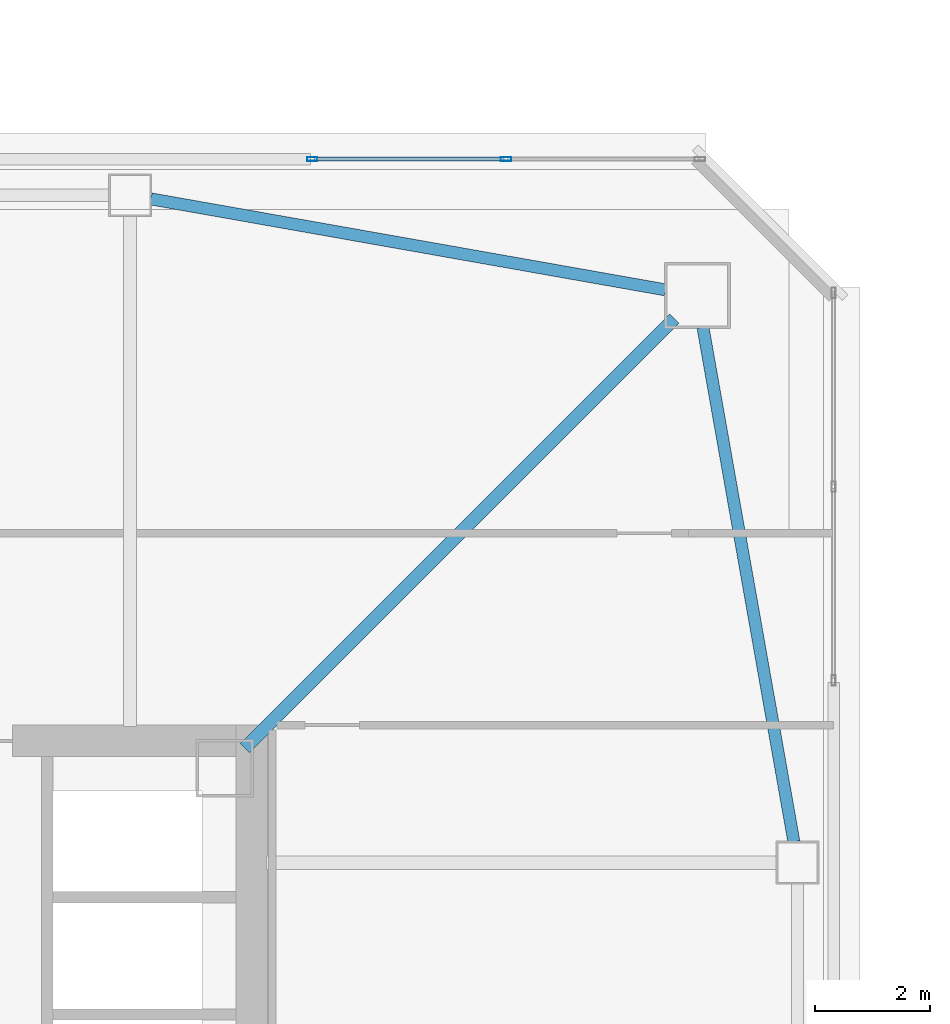
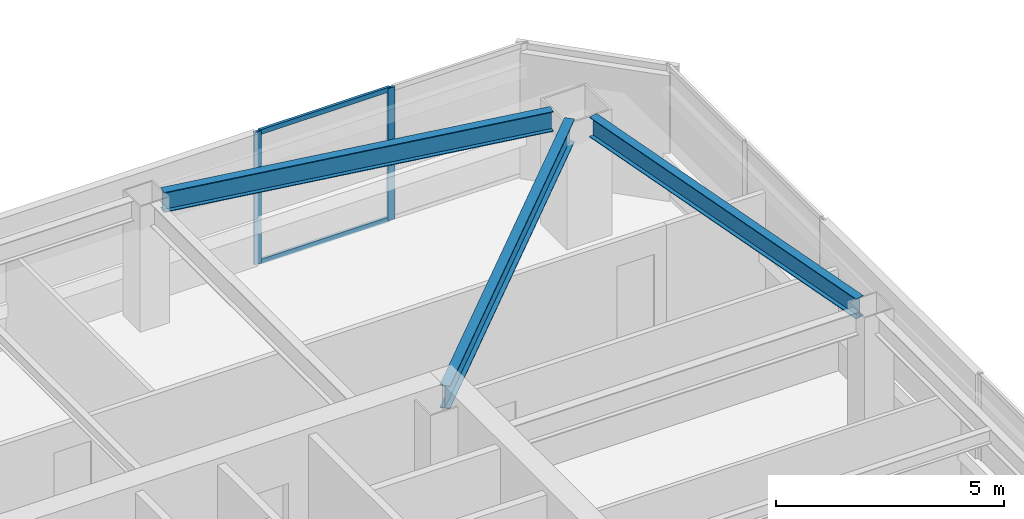
# One storey, part 15 of 43: 4 members, 3 beams, 1 element without a shape of its own.
"""IFC4 building model written with IfcOpenShell, lengths in metres."""

from ifc_helpers import new_model, si_unit, direction, frame, origin, origin_2d, place, context, subcontext, project, spatial, hollow_rectangle, i_section, extrude, material, material_profile, profile_set, type_object, element, aggregate, save


model = new_model("IFC4")

# Units and contexts
model_context = context("Model", 3, precision=1e-05, world=origin(), true_north=direction((0.0, 1.0)))
body_context = subcontext(model_context, "Body", "Model", "MODEL_VIEW")
ifc_project = project(units=[si_unit("LENGTHUNIT", "METRE"), si_unit("AREAUNIT", "SQUARE_METRE"), si_unit("VOLUMEUNIT", "CUBIC_METRE"), si_unit("PLANEANGLEUNIT", "RADIAN"), si_unit("MASSUNIT", "GRAM", prefix="KILO")], contexts=[model_context])

# Site, building, storey
site_placement = place(None, origin())
site = spatial("IfcSite", under=ifc_project, at=site_placement, CompositionType="ELEMENT")
building_placement = place(site_placement, origin())
building = spatial("IfcBuilding", under=site, at=building_placement, Name="Tashvorn Skyway Center", CompositionType="ELEMENT")
storey_placement = place(building_placement, frame((0.0, 0.0, 185.39990234375)))
storey = spatial("IfcBuildingStorey", under=building, at=storey_placement, Name="L50", CompositionType="ELEMENT", Elevation=185.39990234375)

# Beams
ifc_material_1 = material(Name="Steel ASTM A992 Grade 50", Category="steel")
ifc_material_profile_1 = material_profile(ifc_material_1, i_section(OverallWidth=0.22998046875, OverallDepth=0.616943359375, WebThickness=0.01318359375, FlangeThickness=0.022216796875, at=origin_2d()), Name="W24X94")
ifc_profile_set_1 = profile_set([ifc_material_profile_1], Name="Steel ASTM A992 Grade 50")
beam_type_1 = type_object("IfcBeamType", Name="BM-BEAM-W24X94", PredefinedType="BEAM", material=ifc_profile_set_1)
beam_placement = place(storey_placement, frame((56.89697265625, 46.89697265625, 3.0615234375), z_axis=(-0.707106781187, -0.707106781187, 0.0), x_axis=(0.707106781187, -0.707106781187, 0.0)))
element("IfcBeam", 1, at=beam_placement, inside=storey, type_object=beam_type_1, Name="Tower 1 L50 Primary Floor Girder MC-NE", PredefinedType="BEAM", context=body_context, shape_type="SweptSolid", body=[
    extrude(i_section(OverallWidth=0.22998046875, OverallDepth=0.616943359375, WebThickness=0.01318359375, FlangeThickness=0.022216796875, at=origin_2d()), origin(), (0.0, 0.0, 1.0), 10.6025390625),
])
ifc_material_profile_2 = material_profile(ifc_material_1, i_section(OverallWidth=0.2109375, OverallDepth=0.5390625, WebThickness=0.01171875, FlangeThickness=0.018798828125, at=origin_2d()), Name="W21X73")
ifc_profile_set_2 = profile_set([ifc_material_profile_2], Name="Steel ASTM A992 Grade 50")
beam_type_2 = type_object("IfcBeamType", Name="BM-SPANDREL-W21X73", PredefinedType="SPANDREL", material=ifc_profile_set_2)
for number, where, z_axis, x_axis, name in (
    (2, (58.985595703125, 37.764404296875, 3.1005859375), (-0.174074160933, 0.984732545667, 0.0), (-0.984732545667, -0.174074160933, 0.0), "Tower 1 L50 Spandrel Beam 06"),
    (3, (56.73876953125, 47.399169921875, 3.1005859375), (-0.984732545667, 0.174074160933, 0.0), (-0.174074160933, -0.984732545667, 0.0), "Tower 1 L50 Spandrel Beam 07"),
):
    element("IfcBeam", number, at=place(storey_placement, frame(where, z_axis=z_axis, x_axis=x_axis)), inside=storey, type_object=beam_type_2, Name=name, PredefinedType="SPANDREL", context=body_context, shape_type="SweptSolid", body=[
        extrude(i_section(OverallWidth=0.2109375, OverallDepth=0.5390625, WebThickness=0.01171875, FlangeThickness=0.018798828125, at=origin_2d()), origin(), (0.0, 0.0, 1.0), 9.113525390625),
    ])

# Curtain wall, members
ifc_material_2 = material(Name="Thermally broken bronze-anodized aluminium 6063-T6", Category="aluminium")
curtain_wall_type = type_object("IfcCurtainWallType", Name="CW-CW-Z4", PredefinedType="NOTDEFINED", material=ifc_material_2)
curtain_wall_placement = place(storey_placement, origin())
curtain_wall = element("IfcCurtainWall", 4, at=curtain_wall_placement, inside=storey, type_object=curtain_wall_type, Name="Tower 1 L50 North Unitised Curtain Wall Glazing Group 3", PredefinedType="NOTDEFINED")
ifc_material_profile_3 = material_profile(ifc_material_2, hollow_rectangle(XDim=0.070068359375, YDim=0.179931640625, WallThickness=0.00390625, at=origin_2d()), Name="ALU-MULL-70x180")
ifc_profile_set_3 = profile_set([ifc_material_profile_3], Name="Thermally broken bronze-anodized aluminium 6063-T6")
member_type_1 = type_object("IfcMemberType", Name="CWM-CW-Z4", PredefinedType="MULLION", material=ifc_profile_set_3)
member_1_placement = place(storey_placement, frame((50.579345703125, 49.679931640625, 0.0), z_axis=(0.0, 0.0, 1.0), x_axis=(0.0, 1.0, 0.0)))
member_1 = element("IfcMember", 5, at=member_1_placement, type_object=member_type_1, Name="CW-Z4 mullion 1", PredefinedType="MULLION", context=body_context, shape_type="SweptSolid", body=[
    extrude(hollow_rectangle(XDim=0.070068359375, YDim=0.179931640625, WallThickness=0.00390625, at=origin_2d()), origin(), (0.0, 0.0, 1.0), 3.550048828125),
])
member_2_placement = place(storey_placement, frame((53.962158203125, 49.679931640625, 0.0), z_axis=(0.0, 0.0, 1.0), x_axis=(0.0, 1.0, 0.0)))
member_2 = element("IfcMember", 6, at=member_2_placement, type_object=member_type_1, Name="CW-Z4 mullion 2", PredefinedType="MULLION", context=body_context, shape_type="SweptSolid", body=[
    extrude(hollow_rectangle(XDim=0.070068359375, YDim=0.179931640625, WallThickness=0.00390625, at=origin_2d()), origin(), (0.0, 0.0, 1.0), 3.550048828125),
])
ifc_material_profile_4 = material_profile(ifc_material_2, hollow_rectangle(XDim=0.070068359375, YDim=0.1298828125, WallThickness=0.00390625, at=origin_2d()), Name="ALU-TRAN-70x130")
ifc_profile_set_4 = profile_set([ifc_material_profile_4], Name="Thermally broken bronze-anodized aluminium 6063-T6")
member_type_2 = type_object("IfcMemberType", Name="CWT-CW-Z4", PredefinedType="USERDEFINED", material=ifc_profile_set_4)
member_3_placement = place(storey_placement, frame((50.614501953125, 49.679931640625, 0.03515625), z_axis=(1.0, 0.0, 0.0), x_axis=(0.0, 1.0, 0.0)))
member_3 = element("IfcMember", 7, at=member_3_placement, type_object=member_type_2, Name="CW-Z4 transom 1.1", ObjectType="TRANSOM", PredefinedType="USERDEFINED", context=body_context, shape_type="SweptSolid", body=[
    extrude(hollow_rectangle(XDim=0.070068359375, YDim=0.1298828125, WallThickness=0.00390625, at=origin_2d()), origin(), (0.0, 0.0, 1.0), 3.312744140625),
])
member_4_placement = place(storey_placement, frame((50.614501953125, 49.679931640625, 3.51513671875), z_axis=(1.0, 0.0, 0.0), x_axis=(0.0, 1.0, 0.0)))
member_4 = element("IfcMember", 8, at=member_4_placement, type_object=member_type_2, Name="CW-Z4 transom 1.2", ObjectType="TRANSOM", PredefinedType="USERDEFINED", context=body_context, shape_type="SweptSolid", body=[
    extrude(hollow_rectangle(XDim=0.070068359375, YDim=0.1298828125, WallThickness=0.00390625, at=origin_2d()), origin(), (0.0, 0.0, 1.0), 3.312744140625),
])
aggregate(curtain_wall, [member_1, member_2, member_3, member_4])

save(model, "model.ifc")
